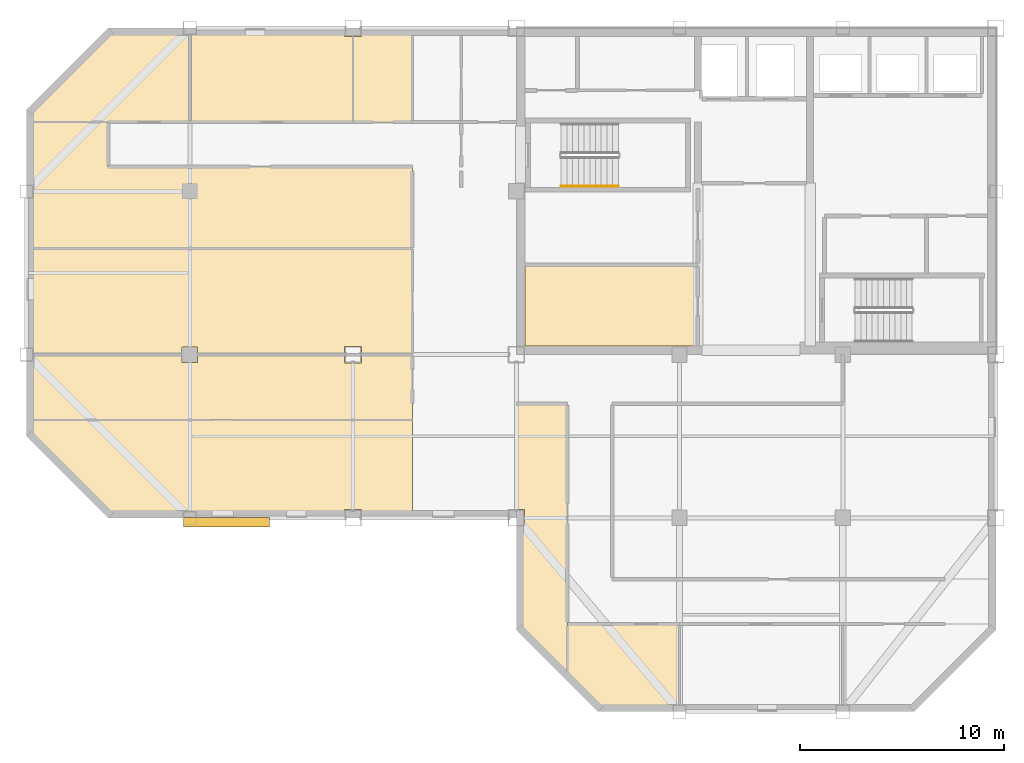
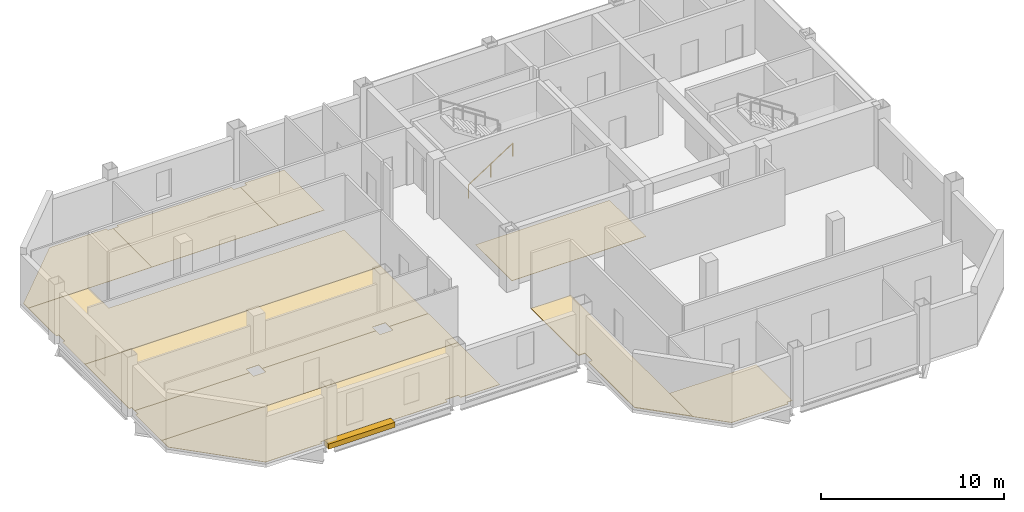
# One storey, part 5 of 7: 10 coverings, 1 railing, 1 shading device.
"""IFC4 building model written with IfcOpenShell, lengths in metres."""

from ifc_helpers import new_model, si_unit, direction, frame, origin, origin_2d, place, context, subcontext, project, spatial, polyline, rectangle, circle, outline, extrude, material, layer, layer_set, type_object, element, save


model = new_model("IFC4")

# Units and contexts
model_context = context("Model", 3, precision=1e-05, world=origin(), true_north=direction((0.0, 1.0)))
body_context = subcontext(model_context, "Body", "Model", "MODEL_VIEW")
ifc_project = project(units=[si_unit("LENGTHUNIT", "METRE"), si_unit("AREAUNIT", "SQUARE_METRE"), si_unit("VOLUMEUNIT", "CUBIC_METRE"), si_unit("PLANEANGLEUNIT", "RADIAN"), si_unit("MASSUNIT", "GRAM", prefix="KILO")], contexts=[model_context])

# Site, building, storey
site_placement = place(None, origin())
site = spatial("IfcSite", under=ifc_project, at=site_placement, CompositionType="ELEMENT")
building_placement = place(site_placement, origin())
building = spatial("IfcBuilding", under=site, at=building_placement, Name="Qianrong Seaharbour Tower", CompositionType="ELEMENT")
storey_placement = place(building_placement, frame((0.0, 0.0, 311.199951171875)))
storey = spatial("IfcBuildingStorey", under=building, at=storey_placement, Name="L75", CompositionType="ELEMENT", Elevation=311.199951171875)

# Coverings
ifc_material_1 = material(Name="Acoustic modular carpet tile flooring")
ifc_layer_1 = layer(ifc_material_1, 0.02001953125)
ifc_layer_set_1 = layer_set([ifc_layer_1], Name="Acoustic modular carpet tile flooring")
covering_type_1 = type_object("IfcCoveringType", Name="COV-FLOOR-CARPET-20", PredefinedType="FLOORING", material=ifc_layer_set_1)
covering_1_placement = place(storey_placement, origin())
element("IfcCovering", 1, at=covering_1_placement, inside=storey, type_object=covering_type_1, Name="L75 Corporate Archive Room Finish Flooring", PredefinedType="FLOORING", context=body_context, shape_type="SweptSolid", body=[
    extrude(outline(polyline([(49.39990234375, 40.39990234375), (49.39990234375, 36.419921875), (40.919921875, 36.419921875), (40.919921875, 40.39990234375), (49.39990234375, 40.39990234375)])), origin(), (0.0, 0.0, 1.0), 0.02001953125),
])
covering_2_placement = place(storey_placement, origin())
element("IfcCovering", 2, at=covering_2_placement, inside=storey, type_object=covering_type_1, Name="L75 Boardroom 1 Finish Flooring", PredefinedType="FLOORING", context=body_context, shape_type="SweptSolid", body=[
    extrude(outline(polyline([(16.675048828125, 47.927490234375), (20.572509765625, 51.824951171875), (24.1650390625, 51.824951171875), (24.1650390625, 51.6650390625), (24.5, 51.6650390625), (24.5, 47.39990234375), (16.675048828125, 47.39990234375), (16.675048828125, 47.927490234375)])), origin(), (0.0, 0.0, 1.0), 0.02001953125),
])
covering_3_placement = place(storey_placement, origin())
element("IfcCovering", 3, at=covering_3_placement, inside=storey, type_object=covering_type_1, Name="L75 Meeting Room 2 Finish Flooring", PredefinedType="FLOORING", context=body_context, shape_type="SweptSolid", body=[
    extrude(outline(polyline([(24.5, 51.6650390625), (24.8349609375, 51.6650390625), (24.8349609375, 51.824951171875), (32.090087890625, 51.824951171875), (32.090087890625, 51.590087890625), (32.5, 51.590087890625), (32.5, 47.39990234375), (24.5, 47.39990234375), (24.5, 51.6650390625)])), origin(), (0.0, 0.0, 1.0), 0.02001953125),
])
covering_4_placement = place(storey_placement, origin())
element("IfcCovering", 4, at=covering_4_placement, inside=storey, type_object=covering_type_1, Name="L75 Project Library 3 Finish Flooring", PredefinedType="FLOORING", context=body_context, shape_type="SweptSolid", body=[
    extrude(outline(polyline([(32.5, 51.590087890625), (32.909912109375, 51.590087890625), (32.909912109375, 51.824951171875), (35.39990234375, 51.824951171875), (35.39990234375, 47.39990234375), (32.5, 47.39990234375), (32.5, 51.590087890625)])), origin(), (0.0, 0.0, 1.0), 0.02001953125),
])
covering_5_placement = place(storey_placement, origin())
element("IfcCovering", 5, at=covering_5_placement, inside=storey, type_object=covering_type_1, Name="L75 Harbour Lecture Hall 1 Finish Flooring", PredefinedType="FLOORING", context=body_context, shape_type="SweptSolid", body=[
    extrude(outline(polyline([(32.909912109375, 28.175048828125), (32.909912109375, 28.409912109375), (32.090087890625, 28.409912109375), (32.090087890625, 28.175048828125), (24.8349609375, 28.175048828125), (24.8349609375, 28.3349609375), (24.1650390625, 28.3349609375), (24.1650390625, 28.175048828125), (20.572509765625, 28.175048828125), (16.675048828125, 32.072509765625), (16.675048828125, 32.800048828125), (35.39990234375, 32.800048828125), (35.39990234375, 28.175048828125), (32.909912109375, 28.175048828125)])), origin(), (0.0, 0.0, 1.0), 0.02001953125),
])
covering_6_placement = place(storey_placement, origin())
element("IfcCovering", 6, at=covering_6_placement, inside=storey, type_object=covering_type_1, Name="L75 Division Conference Gallery 2 Finish Flooring", PredefinedType="FLOORING", context=body_context, shape_type="SweptSolid", body=[
    extrude(outline(polyline([(16.675048828125, 32.800048828125), (16.675048828125, 35.6650390625), (16.8349609375, 35.6650390625), (16.8349609375, 36.0), (24.114990234375, 36.0), (24.114990234375, 35.614990234375), (24.885009765625, 35.614990234375), (24.885009765625, 36.0), (32.090087890625, 36.0), (32.090087890625, 35.590087890625), (32.909912109375, 35.590087890625), (32.909912109375, 36.0), (35.39990234375, 36.0), (35.39990234375, 32.800048828125), (16.675048828125, 32.800048828125)])), origin(), (0.0, 0.0, 1.0), 0.02001953125),
])
covering_7_placement = place(storey_placement, origin())
element("IfcCovering", 7, at=covering_7_placement, inside=storey, type_object=covering_type_1, Name="L75 Wet Pantry 3 Finish Flooring", PredefinedType="FLOORING", context=body_context, shape_type="SweptSolid", body=[
    extrude(outline(polyline([(32.909912109375, 36.0), (32.909912109375, 36.409912109375), (32.090087890625, 36.409912109375), (32.090087890625, 36.0), (24.885009765625, 36.0), (24.885009765625, 36.385009765625), (24.114990234375, 36.385009765625), (24.114990234375, 36.0), (16.8349609375, 36.0), (16.8349609375, 36.3349609375), (16.675048828125, 36.3349609375), (16.675048828125, 41.199951171875), (35.39990234375, 41.199951171875), (35.39990234375, 36.0), (32.909912109375, 36.0)])), origin(), (0.0, 0.0, 1.0), 0.02001953125),
])
covering_8_placement = place(storey_placement, origin())
element("IfcCovering", 8, at=covering_8_placement, inside=storey, type_object=covering_type_1, Name="L75 Harbour Lecture Hall 4 Finish Flooring", PredefinedType="FLOORING", context=body_context, shape_type="SweptSolid", body=[
    extrude(outline(polyline([(16.675048828125, 41.199951171875), (16.675048828125, 43.6650390625), (16.8349609375, 43.6650390625), (16.8349609375, 44.3349609375), (16.675048828125, 44.3349609375), (16.675048828125, 47.39990234375), (20.5, 47.39990234375), (20.5, 45.199951171875), (35.39990234375, 45.199951171875), (35.39990234375, 41.199951171875), (16.675048828125, 41.199951171875)])), origin(), (0.0, 0.0, 1.0), 0.02001953125),
])
covering_9_placement = place(storey_placement, origin())
element("IfcCovering", 9, at=covering_9_placement, inside=storey, type_object=covering_type_1, Name="L75 Maritime Seminar Room 1 Finish Flooring", PredefinedType="FLOORING", context=body_context, shape_type="SweptSolid", body=[
    extrude(outline(polyline([(48.5, 18.8349609375), (48.1650390625, 18.8349609375), (48.1650390625, 18.675048828125), (44.572509765625, 18.675048828125), (43.0, 20.24755859375), (43.0, 22.800048828125), (48.5, 22.800048828125), (48.5, 18.8349609375)])), origin(), (0.0, 0.0, 1.0), 0.02001953125),
])
ifc_material_2 = material(Name="Calcium-sulphate raised access floor tile")
ifc_layer_2 = layer(ifc_material_2, 0.044921875)
ifc_layer_set_2 = layer_set([ifc_layer_2], Name="Calcium-sulphate raised access floor tile")
covering_type_2 = type_object("IfcCoveringType", Name="COV-FLOOR-RAISED-45", PredefinedType="FLOORING", material=ifc_layer_set_2)
covering_10_placement = place(storey_placement, origin())
element("IfcCovering", 10, at=covering_10_placement, inside=storey, type_object=covering_type_2, Name="L75 West Spine Open-Plan Office Finish Flooring", PredefinedType="FLOORING", context=body_context, shape_type="SweptSolid", body=[
    extrude(outline(polyline([(43.0, 20.24755859375), (40.675048828125, 22.572509765625), (40.675048828125, 27.590087890625), (40.909912109375, 27.590087890625), (40.909912109375, 28.409912109375), (40.5, 28.409912109375), (40.5, 33.60009765625), (43.0, 33.60009765625), (43.0, 20.24755859375)])), origin(), (0.0, 0.0, 1.0), 0.045166015625),
])

# Railing
ifc_material_3 = material(Name="Stainless steel SUS316L continuous handrail", Category="steel")
railing_type = type_object("IfcRailingType", Name="RAIL-STAIR-HANDRAIL-900", PredefinedType="HANDRAIL", material=ifc_material_3)
railing_placement = place(storey_placement, frame((42.699951171875, 44.25, 0.181884765625)))
element("IfcRailing", 11, at=railing_placement, inside=storey, type_object=railing_type, Name="L75 ST-1 stair handrail 1", PredefinedType="HANDRAIL", context=body_context, shape_type="SweptSolid", body=[
    extrude(circle(Radius=0.02392578125, at=origin_2d()), frame((0.0, 0.0, 0.8759765625), z_axis=(0.838705829183, 0.0, 0.544584733623), x_axis=(0.0, 1.0, 0.0)), (0.0, 0.0, 1.0), 3.338623046875),
    extrude(circle(Radius=0.02099609375, at=origin_2d()), origin(), (0.0, 0.0, 1.0), 0.851806640625),
    extrude(circle(Radius=0.02099609375, at=origin_2d()), frame((1.39990234375, 0.0, 0.9091796875)), (0.0, 0.0, 1.0), 0.851806640625),
    extrude(circle(Radius=0.02099609375, at=origin_2d()), frame((2.800048828125, 0.0, 1.818115234375)), (0.0, 0.0, 1.0), 0.851806640625),
])

# Shading device
ifc_material_4 = material(Name="White architectural precast concrete C45/55", Category="concrete")
shading_device_type = type_object("IfcShadingDeviceType", Name="SHD-SUNSHADE-WHITE-320", PredefinedType="AWNING", material=ifc_material_4)
shading_device_placement = place(storey_placement, frame((26.300048828125, 27.780029296875, -0.02001953125), z_axis=(0.0, 0.0, 1.0), x_axis=(1.0, 0.0, 0.0)))
element("IfcShadingDevice", 12, at=shading_device_placement, inside=storey, type_object=shading_device_type, Name="L75 Climbing White Precast Ribbon Canopy Fin", PredefinedType="AWNING", context=body_context, shape_type="SweptSolid", body=[
    extrude(rectangle(XDim=4.199951171875, YDim=0.4599609375, at=origin_2d()), origin(), (0.0, 0.0, 1.0), 0.340087890625),
])

save(model, "model.ifc")
